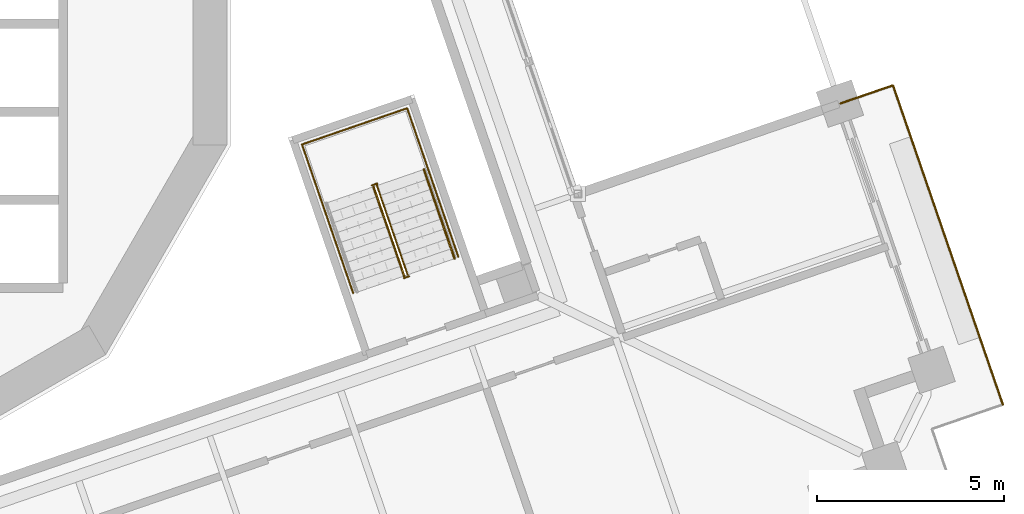
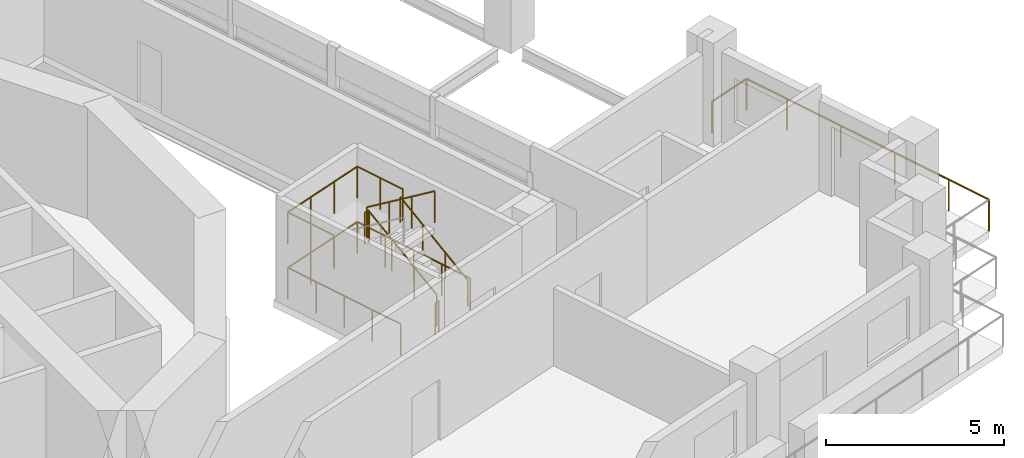
# One storey, part 18 of 21: 7 railings.
"""IFC4 building model written with IfcOpenShell, lengths in metres."""

from ifc_helpers import new_model, si_unit, direction, frame, origin, origin_2d, place, context, subcontext, project, spatial, circle, extrude, material, type_object, element, save


model = new_model("IFC4")

# Units and contexts
model_context = context("Model", 3, precision=1e-05, world=origin(), true_north=direction((0.0, 1.0)))
body_context = subcontext(model_context, "Body", "Model", "MODEL_VIEW")
ifc_project = project(units=[si_unit("LENGTHUNIT", "METRE"), si_unit("AREAUNIT", "SQUARE_METRE"), si_unit("VOLUMEUNIT", "CUBIC_METRE"), si_unit("PLANEANGLEUNIT", "RADIAN"), si_unit("MASSUNIT", "GRAM", prefix="KILO")], contexts=[model_context])

# Site, building, storey
site_placement = place(None, origin())
site = spatial("IfcSite", under=ifc_project, at=site_placement, CompositionType="ELEMENT")
building_placement = place(site_placement, origin())
building = spatial("IfcBuilding", under=site, at=building_placement, Name="Cantera Rosa Tower", CompositionType="ELEMENT")
storey_placement = place(building_placement, frame((0.0, 0.0, 119.300048828125)))
storey = spatial("IfcBuildingStorey", under=building, at=storey_placement, Name="L24", CompositionType="ELEMENT", Elevation=119.300048828125)

# Railings
ifc_material_1 = material(Name="Stainless steel and laminated glass", Category="steel")
railing_type_1 = type_object("IfcRailingType", Name="GUARD 1100", PredefinedType="BALUSTRADE", material=ifc_material_1)
railing_1_placement = place(storey_placement, frame((28.4638671875, -2.129150390625, 0.0)))
element("IfcRailing", 1, at=railing_1_placement, inside=storey, type_object=railing_type_1, Name="GUARD L24-10", PredefinedType="BALUSTRADE", context=body_context, shape_type="SweptSolid", body=[
    extrude(circle(Radius=0.030029296875, at=origin_2d()), frame((0.0, 0.0, 1.070068359375), z_axis=(0.945502624307, 0.325614476689, 0.0), x_axis=(-0.325614476689, 0.945502624307, 0.0)), (0.0, 0.0, 1.0), 1.47998046875),
    extrude(circle(Radius=0.030029296875, at=origin_2d()), frame((1.3994140625, 0.48193359375, 1.070068359375), z_axis=(0.325539181077, -0.945528551438, 0.0), x_axis=(0.945528551438, 0.325539181077, 0.0)), (0.0, 0.0, 1.0), 1.5),
    extrude(circle(Radius=0.030029296875, at=origin_2d()), frame((1.8876953125, -0.936279296875, 1.070068359375), z_axis=(0.325568215952, -0.945518554425, 0.0), x_axis=(0.945518554425, 0.325568215952, 0.0)), (0.0, 0.0, 1.0), 6.02001953125),
    extrude(circle(Radius=0.030029296875, at=origin_2d()), frame((3.84765625, -6.62841796875, 1.070068359375), z_axis=(0.325539181077, -0.945528551438, 0.0), x_axis=(0.945528551438, 0.325539181077, 0.0)), (0.0, 0.0, 1.0), 1.5),
    extrude(circle(Radius=0.02490234375, at=origin_2d()), origin(), (0.0, 0.0, 1.0), 1.0400390625),
    extrude(circle(Radius=0.02490234375, at=origin_2d()), frame((1.3994140625, 0.48193359375, 0.0)), (0.0, 0.0, 1.0), 1.0400390625),
    extrude(circle(Radius=0.02490234375, at=origin_2d()), frame((1.8876953125, -0.936279296875, 0.0)), (0.0, 0.0, 1.0), 1.0400390625),
    extrude(circle(Radius=0.02490234375, at=origin_2d()), frame((2.541015625, -2.833740234375, 0.0)), (0.0, 0.0, 1.0), 1.0400390625),
    extrude(circle(Radius=0.02490234375, at=origin_2d()), frame((3.1943359375, -4.73095703125, 0.0)), (0.0, 0.0, 1.0), 1.0400390625),
    extrude(circle(Radius=0.02490234375, at=origin_2d()), frame((3.84765625, -6.62841796875, 0.0)), (0.0, 0.0, 1.0), 1.0400390625),
    extrude(circle(Radius=0.02490234375, at=origin_2d()), frame((4.3359375, -8.046630859375, 0.0)), (0.0, 0.0, 1.0), 1.0400390625),
])
ifc_material_2 = material(Name="Steel S355J2 (EN 10025-2)", Category="steel")
railing_type_2 = type_object("IfcRailingType", Name="STAIR GUARD 1100", PredefinedType="GUARDRAIL", material=ifc_material_2)
railing_2_placement = place(storey_placement, frame((16.902099609375, -6.707763671875, 0.18994140625)))
element("IfcRailing", 2, at=railing_2_placement, inside=storey, type_object=railing_type_2, Name="L24 ST-23 stair guard 1", PredefinedType="GUARDRAIL", context=body_context, shape_type="SweptSolid", body=[
    extrude(circle(Radius=0.02392578125, at=origin_2d()), frame((0.0, 0.0, 1.076171875), z_axis=(-0.269358070891, 0.782421063063, 0.561483312059), x_axis=(-0.945537585866, -0.325512939397, 0.0)), (0.0, 0.0, 1.0), 3.04541015625),
    extrude(circle(Radius=0.02392578125, at=origin_2d()), frame((-0.8203125, 2.3828125, 2.7861328125), z_axis=(0.147491890402, 0.989063265047, 0.0), x_axis=(-0.989063265047, 0.147491890402, 0.0)), (0.0, 0.0, 1.0), 0.056396484375),
    extrude(circle(Radius=0.02392578125, at=origin_2d()), frame((-0.81201171875, 2.4384765625, 2.7861328125), z_axis=(-0.945545797087, -0.325489086777, 0.0), x_axis=(0.325489086777, -0.945545797087, 0.0)), (0.0, 0.0, 1.0), 0.14990234375),
    extrude(circle(Radius=0.02099609375, at=origin_2d()), origin(), (0.0, 0.0, 1.0), 1.052001953125),
    extrude(circle(Radius=0.02099609375, at=origin_2d()), frame((-0.2734375, 0.794189453125, 0.570068359375)), (0.0, 0.0, 1.0), 1.052001953125),
    extrude(circle(Radius=0.02099609375, at=origin_2d()), frame((-0.546875, 1.588623046875, 1.139892578125)), (0.0, 0.0, 1.0), 1.052001953125),
    extrude(circle(Radius=0.02099609375, at=origin_2d()), frame((-0.8203125, 2.3828125, 1.7099609375)), (0.0, 0.0, 1.0), 1.052001953125),
    extrude(circle(Radius=0.02099609375, at=origin_2d()), frame((-0.81201171875, 2.4384765625, 1.7099609375)), (0.0, 0.0, 1.0), 1.052001953125),
    extrude(circle(Radius=0.02099609375, at=origin_2d()), frame((-0.953857421875, 2.3896484375, 1.7099609375)), (0.0, 0.0, 1.0), 1.052001953125),
])
railing_3_placement = place(storey_placement, frame((15.989013671875, -4.35693359375, 2.08984375)))
element("IfcRailing", 3, at=railing_3_placement, inside=storey, type_object=railing_type_2, Name="L24 ST-23 stair guard 2", PredefinedType="GUARDRAIL", context=body_context, shape_type="SweptSolid", body=[
    extrude(circle(Radius=0.02392578125, at=origin_2d()), frame((0.0, 0.0, 1.076171875), z_axis=(0.269420291028, -0.782368949847, 0.561526075172), x_axis=(0.94550776501, 0.325599548996, 0.0)), (0.0, 0.0, 1.0), 3.045654296875),
    extrude(circle(Radius=0.02099609375, at=origin_2d()), origin(), (0.0, 0.0, 1.0), 1.052001953125),
    extrude(circle(Radius=0.02099609375, at=origin_2d()), frame((0.2734375, -0.794189453125, 0.570068359375)), (0.0, 0.0, 1.0), 1.052001953125),
    extrude(circle(Radius=0.02099609375, at=origin_2d()), frame((0.547119140625, -1.588623046875, 1.14013671875)), (0.0, 0.0, 1.0), 1.052001953125),
    extrude(circle(Radius=0.02099609375, at=origin_2d()), frame((0.820556640625, -2.3828125, 1.710205078125)), (0.0, 0.0, 1.0), 1.052001953125),
])
railing_4_placement = place(storey_placement, frame((16.94287109375, -6.74658203125, 0.0)))
element("IfcRailing", 4, at=railing_4_placement, inside=storey, type_object=railing_type_2, Name="L24 ST-23 stair guard 3", PredefinedType="GUARDRAIL", context=body_context, shape_type="SweptSolid", body=[
    extrude(circle(Radius=0.02392578125, at=origin_2d()), frame((0.0, 0.0, 1.076171875), z_axis=(-0.945372981626, -0.325990683319, 0.0), x_axis=(0.325990683319, -0.945372981626, 0.0)), (0.0, 0.0, 1.0), 0.14990234375),
    extrude(circle(Radius=0.02099609375, at=origin_2d()), origin(), (0.0, 0.0, 1.0), 1.052001953125),
    extrude(circle(Radius=0.02099609375, at=origin_2d()), frame((-0.1416015625, -0.048828125, 0.0)), (0.0, 0.0, 1.0), 1.052001953125),
])
railing_5_placement = place(storey_placement, frame((18.256103515625, -6.22900390625, 0.0)))
element("IfcRailing", 5, at=railing_5_placement, inside=storey, type_object=railing_type_2, Name="L24 ST-23 stair guard 4", PredefinedType="GUARDRAIL", context=body_context, shape_type="SweptSolid", body=[
    extrude(circle(Radius=0.02392578125, at=origin_2d()), frame((0.0, 0.0, 1.076171875), z_axis=(-0.3255981694, 0.945508240093, 0.0), x_axis=(-0.945508240093, -0.3255981694, 0.0)), (0.0, 0.0, 1.0), 4.1982421875),
    extrude(circle(Radius=0.02392578125, at=origin_2d()), frame((-1.366943359375, 3.969482421875, 1.076171875), z_axis=(-0.945504814226, -0.325608117645, 0.0), x_axis=(0.325608117645, -0.945504814226, 0.0)), (0.0, 0.0, 1.0), 2.969970703125),
    extrude(circle(Radius=0.02392578125, at=origin_2d()), frame((-4.175048828125, 3.00244140625, 1.076171875), z_axis=(0.325564081496, -0.945519978022, 0.0), x_axis=(0.945519978022, 0.325564081496, 0.0)), (0.0, 0.0, 1.0), 4.197998046875),
    extrude(circle(Radius=0.02099609375, at=origin_2d()), origin(), (0.0, 0.0, 1.0), 1.052001953125),
    extrude(circle(Radius=0.02099609375, at=origin_2d()), frame((-0.341796875, 0.992431640625, 0.0)), (0.0, 0.0, 1.0), 1.052001953125),
    extrude(circle(Radius=0.02099609375, at=origin_2d()), frame((-0.68359375, 1.98486328125, 0.0)), (0.0, 0.0, 1.0), 1.052001953125),
    extrude(circle(Radius=0.02099609375, at=origin_2d()), frame((-1.025146484375, 2.97705078125, 0.0)), (0.0, 0.0, 1.0), 1.052001953125),
    extrude(circle(Radius=0.02099609375, at=origin_2d()), frame((-1.366943359375, 3.969482421875, 0.0)), (0.0, 0.0, 1.0), 1.052001953125),
    extrude(circle(Radius=0.02099609375, at=origin_2d()), frame((-2.302978515625, 3.647216796875, 0.0)), (0.0, 0.0, 1.0), 1.052001953125),
    extrude(circle(Radius=0.02099609375, at=origin_2d()), frame((-3.239013671875, 3.32470703125, 0.0)), (0.0, 0.0, 1.0), 1.052001953125),
    extrude(circle(Radius=0.02099609375, at=origin_2d()), frame((-4.175048828125, 3.00244140625, 0.0)), (0.0, 0.0, 1.0), 1.052001953125),
    extrude(circle(Radius=0.02099609375, at=origin_2d()), frame((-3.83349609375, 2.01025390625, 0.0)), (0.0, 0.0, 1.0), 1.052001953125),
    extrude(circle(Radius=0.02099609375, at=origin_2d()), frame((-3.49169921875, 1.017822265625, 0.0)), (0.0, 0.0, 1.0), 1.052001953125),
    extrude(circle(Radius=0.02099609375, at=origin_2d()), frame((-3.14990234375, 0.025390625, 0.0)), (0.0, 0.0, 1.0), 1.052001953125),
    extrude(circle(Radius=0.02099609375, at=origin_2d()), frame((-2.808349609375, -0.966796875, 0.0)), (0.0, 0.0, 1.0), 1.052001953125),
])
railing_6_placement = place(storey_placement, frame((17.443359375, -3.868896484375, 1.89990234375)))
element("IfcRailing", 6, at=railing_6_placement, inside=storey, type_object=railing_type_2, Name="L24 ST-23 stair guard 5", PredefinedType="GUARDRAIL", context=body_context, shape_type="SweptSolid", body=[
    extrude(circle(Radius=0.02392578125, at=origin_2d()), frame((0.0, 0.0, 1.076171875), z_axis=(-0.32559282233, 0.94551008141, 0.0), x_axis=(-0.94551008141, -0.32559282233, 0.0)), (0.0, 0.0, 1.0), 1.7021484375),
    extrude(circle(Radius=0.02392578125, at=origin_2d()), frame((-0.55419921875, 1.609375, 1.076171875), z_axis=(-0.945504814226, -0.325608117645, 0.0), x_axis=(0.325608117645, -0.945504814226, 0.0)), (0.0, 0.0, 1.0), 2.969970703125),
    extrude(circle(Radius=0.02392578125, at=origin_2d()), frame((-3.3623046875, 0.642333984375, 1.076171875), z_axis=(0.32559282233, -0.94551008141, 0.0), x_axis=(0.94551008141, 0.32559282233, 0.0)), (0.0, 0.0, 1.0), 1.7021484375),
    extrude(circle(Radius=0.02099609375, at=origin_2d()), origin(), (0.0, 0.0, 1.0), 1.052001953125),
    extrude(circle(Radius=0.02099609375, at=origin_2d()), frame((-0.277099609375, 0.8046875, 0.0)), (0.0, 0.0, 1.0), 1.052001953125),
    extrude(circle(Radius=0.02099609375, at=origin_2d()), frame((-0.55419921875, 1.609375, 0.0)), (0.0, 0.0, 1.0), 1.052001953125),
    extrude(circle(Radius=0.02099609375, at=origin_2d()), frame((-1.490234375, 1.287109375, 0.0)), (0.0, 0.0, 1.0), 1.052001953125),
    extrude(circle(Radius=0.02099609375, at=origin_2d()), frame((-2.42626953125, 0.964599609375, 0.0)), (0.0, 0.0, 1.0), 1.052001953125),
    extrude(circle(Radius=0.02099609375, at=origin_2d()), frame((-3.3623046875, 0.642333984375, 0.0)), (0.0, 0.0, 1.0), 1.052001953125),
    extrude(circle(Radius=0.02099609375, at=origin_2d()), frame((-3.085205078125, -0.162353515625, 0.0)), (0.0, 0.0, 1.0), 1.052001953125),
    extrude(circle(Radius=0.02099609375, at=origin_2d()), frame((-2.80810546875, -0.967041015625, 0.0)), (0.0, 0.0, 1.0), 1.052001953125),
])
ifc_material_3 = material(Name="Steel S355J2 (EN 10025-2)", Category="steel")
railing_type_3 = type_object("IfcRailingType", Name="STAIR HANDRAIL 900", PredefinedType="HANDRAIL", material=ifc_material_3)
railing_7_placement = place(storey_placement, frame((18.15576171875, -6.276123046875, 0.18994140625)))
element("IfcRailing", 7, at=railing_7_placement, inside=storey, type_object=railing_type_3, Name="L24 ST-23 stair handrail 1", PredefinedType="HANDRAIL", context=body_context, shape_type="SweptSolid", body=[
    extrude(circle(Radius=0.02392578125, at=origin_2d()), frame((0.0, 0.0, 0.8759765625), z_axis=(-0.269358070891, 0.782421063063, 0.561483312059), x_axis=(-0.945537585866, -0.325512939397, 0.0)), (0.0, 0.0, 1.0), 3.04541015625),
    extrude(circle(Radius=0.02099609375, at=origin_2d()), origin(), (0.0, 0.0, 1.0), 0.851806640625),
    extrude(circle(Radius=0.02099609375, at=origin_2d()), frame((-0.2734375, 0.794189453125, 0.570068359375)), (0.0, 0.0, 1.0), 0.851806640625),
    extrude(circle(Radius=0.02099609375, at=origin_2d()), frame((-0.546875, 1.588623046875, 1.139892578125)), (0.0, 0.0, 1.0), 0.851806640625),
    extrude(circle(Radius=0.02099609375, at=origin_2d()), frame((-0.8203125, 2.3828125, 1.7099609375)), (0.0, 0.0, 1.0), 0.851806640625),
])

save(model, "model.ifc")
